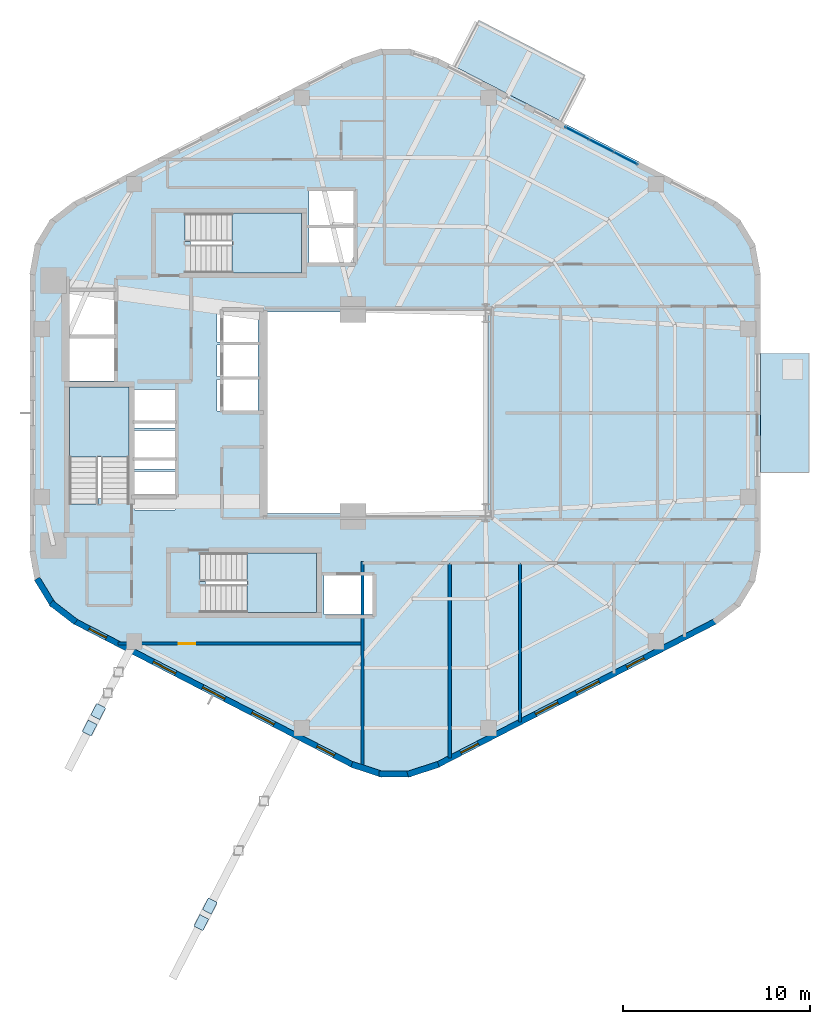
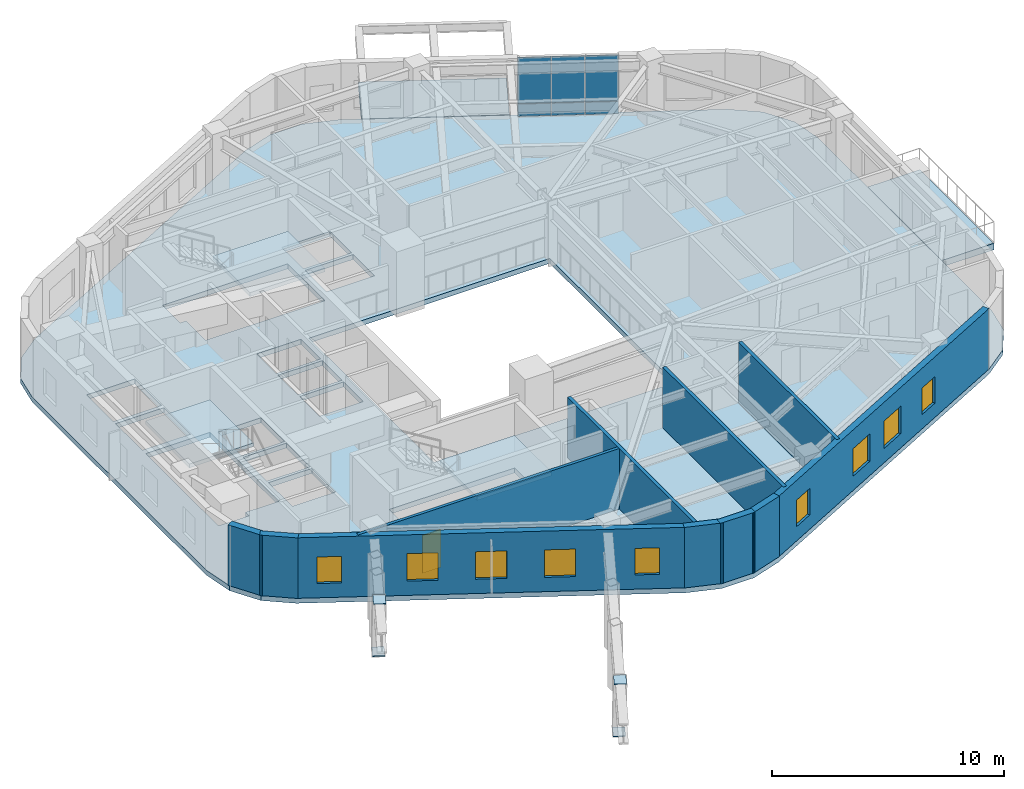
# One storey, part 5 of 11: 11 walls, 10 plates, 9 windows, 6 slabs, 1 door, 10 openings, 4 elements without a shape of their own.
"""IFC4 building model written with IfcOpenShell, lengths in metres."""

import ifcopenshell
import ifcopenshell.guid

model = None  # the IFC model being written
_history = None  # IfcOwnerHistory: only IFC2X3 demands one
_inside = {}  # id of a spatial element -> (the spatial element, [elements in it])
_under = {}  # id of a project, library or spatial element -> (it, [spatial elements below it])
_declared = {}  # id of a project -> (the project, [libraries it declares])
_typed = {}  # id of a type object -> (the type object, [elements of that type])
_made_of = {}  # id of a material, layer set ... -> (it, [elements and type objects made of it])


def new_model(schema):
    """Start an empty IFC model of exactly this schema.

    Asked for "IFC4X3", IfcOpenShell would pick the latest addendum, in which some entities
    have other attributes; the version numbers below select the first issue.
    IFC2X3 requires an IfcOwnerHistory on every rooted entity: one is made here for all.
    """
    global model, _history
    if schema == "IFC4X3":
        model = ifcopenshell.file(schema_version=(4, 3, 0, 0))
    else:
        model = ifcopenshell.file(schema=schema)
    _inside.clear()
    _under.clear()
    _declared.clear()
    _typed.clear()
    _made_of.clear()
    _history = None
    if model.schema == "IFC2X3":
        org = make("IfcOrganization", Name="unknown")
        user = make(
            "IfcPersonAndOrganization",
            ThePerson=make("IfcPerson", FamilyName="unknown"),
            TheOrganization=org,
        )
        app = make(
            "IfcApplication",
            ApplicationDeveloper=org,
            Version="unknown",
            ApplicationFullName="unknown",
            ApplicationIdentifier="unknown",
        )
        _history = make(
            "IfcOwnerHistory",
            OwningUser=user,
            OwningApplication=app,
            ChangeAction="ADDED",
            CreationDate=0,
        )
    return model


def make(cls, **values):
    """One entity of the class cls with the attributes given. An attribute that is None is left unset."""
    return model.create_entity(
        cls, **{name: value for name, value in values.items() if value is not None}
    )


def rooted(cls, **values):
    """An entity with a GlobalId (a new one), such as an element, a storey or a relation."""
    return make(cls, GlobalId=ifcopenshell.guid.new(), OwnerHistory=_history, **values)


def si_unit(unit_type, name, prefix=None):
    """IfcSIUnit, for example si_unit("LENGTHUNIT", "METRE", prefix="MILLI")."""
    return make("IfcSIUnit", UnitType=unit_type, Prefix=prefix, Name=name)


def assignment(units):
    """IfcUnitAssignment: the units of a project."""
    return None if units is None else make("IfcUnitAssignment", Units=units)


def point(xyz):
    """IfcCartesianPoint."""
    return None if xyz is None else make("IfcCartesianPoint", Coordinates=xyz)


def direction(xyz):
    """IfcDirection."""
    return None if xyz is None else make("IfcDirection", DirectionRatios=xyz)


def frame(location, z_axis=None, x_axis=None):
    """IfcAxis2Placement3D, a coordinate frame: its origin and axes. An axis left out is left unset."""
    return make(
        "IfcAxis2Placement3D",
        Location=point(location),
        Axis=direction(z_axis),
        RefDirection=direction(x_axis),
    )


def frame_2d(location, x_axis=None):
    """IfcAxis2Placement2D, a coordinate frame in the plane: its origin and x axis."""
    return make(
        "IfcAxis2Placement2D", Location=point(location), RefDirection=direction(x_axis)
    )


def origin():
    """The frame at (0, 0, 0) with its axes left unset."""
    return frame((0.0, 0.0, 0.0))


def origin_2d():
    """The frame at (0, 0) in the plane with its x axis left unset."""
    return frame_2d((0.0, 0.0))


def place(relative_to, where):
    """IfcLocalPlacement: puts the frame where relative to a parent placement (None: the world)."""
    return make(
        "IfcLocalPlacement", PlacementRelTo=relative_to, RelativePlacement=where
    )


def context(
    kind, dimensions, precision=None, world=None, true_north=None, identifier=None
):
    """IfcGeometricRepresentationContext, for example the 3D "Model" context."""
    return make(
        "IfcGeometricRepresentationContext",
        ContextIdentifier=identifier,
        ContextType=kind,
        CoordinateSpaceDimension=dimensions,
        Precision=precision,
        WorldCoordinateSystem=world,
        TrueNorth=true_north,
    )


def subcontext(parent, identifier, kind, view, scale=None):
    """IfcGeometricRepresentationSubContext, for example "Body" below "Model"."""
    return make(
        "IfcGeometricRepresentationSubContext",
        ContextIdentifier=identifier,
        ContextType=kind,
        ParentContext=parent,
        TargetScale=scale,
        TargetView=view,
    )


def project(units=None, contexts=None):
    """IfcProject with its units and contexts."""
    return rooted(
        "IfcProject",
        Name="project",
        RepresentationContexts=contexts,
        UnitsInContext=assignment(units),
    )


def spatial(cls, under=None, at=None, **own):
    """A site, building, storey or space (cls), placed at a placement, below another one or the project."""
    s = rooted(cls, ObjectPlacement=at, **own)
    if under is not None:
        _under.setdefault(under.id(), (under, []))[1].append(s)
    return s


def polyline(points):
    """IfcPolyline through the points."""
    return make("IfcPolyline", Points=[point(p) for p in points])


def profile(cls, at=None, kind="AREA", **sizes):
    """A parametric profile (cls). Its sizes go by their IFC names, for example OverallWidth=200.0."""
    return make(cls, ProfileType=kind, Position=at, **sizes)


def rectangle(**sizes):
    """IfcRectangleProfileDef."""
    return profile("IfcRectangleProfileDef", **sizes)


def outline(outer, holes=None, kind="AREA"):
    """IfcArbitraryClosedProfileDef: a profile drawn as a closed curve; with holes, ...WithVoids."""
    if holes is None:
        return make("IfcArbitraryClosedProfileDef", ProfileType=kind, OuterCurve=outer)
    return make(
        "IfcArbitraryProfileDefWithVoids",
        ProfileType=kind,
        OuterCurve=outer,
        InnerCurves=holes,
    )


def extrude(swept, where, along, depth):
    """IfcExtrudedAreaSolid: the profile swept, set in the frame where, extruded along a direction by depth."""
    return make(
        "IfcExtrudedAreaSolid",
        SweptArea=swept,
        Position=where,
        ExtrudedDirection=direction(along),
        Depth=depth,
    )


def shape(context_of_items, identifier, shape_type, items):
    """IfcShapeRepresentation: the items that make up one representation, for example the "Body"."""
    return make(
        "IfcShapeRepresentation",
        ContextOfItems=context_of_items,
        RepresentationIdentifier=identifier,
        RepresentationType=shape_type,
        Items=items,
    )


def material(Name=None, Category=None):
    """IfcMaterial."""
    return make("IfcMaterial", Name=Name, Category=Category)


def layer(
    of_material, thickness, ventilated=None, Name=None, Category=None, Priority=None
):
    """IfcMaterialLayer: one layer of a wall or slab, of a material (None: an air gap)."""
    return make(
        "IfcMaterialLayer",
        Material=of_material,
        LayerThickness=thickness,
        IsVentilated=ventilated,
        Name=Name,
        Category=Category,
        Priority=Priority,
    )


def layer_set(layers, Name=None):
    """IfcMaterialLayerSet."""
    return make("IfcMaterialLayerSet", MaterialLayers=layers, LayerSetName=Name)


def made_of(thing, what):
    """Note that an element or type object is made of a material, layer set ...; save() writes the relation."""
    if what is not None:
        _made_of.setdefault(what.id(), (what, []))[1].append(thing)
    return thing


def type_object(cls, material=None, **own):
    """A type object (cls), such as IfcWallType, which elements share."""
    return made_of(rooted(cls, **own), material)


def element(
    cls,
    number,
    at=None,
    inside=None,
    cuts=None,
    type_object=None,
    material=None,
    context=None,
    identifier="Body",
    shape_type=None,
    held_by="IfcProductDefinitionShape",
    body=None,
    shapes=None,
    **own,
):
    """One element of the class cls, such as IfcWall. Its Tag is "e" and its number.

    at: its placement. inside: the storey or other place that contains it. cuts: it is an
    opening in that element (IfcRelVoidsElement). A single representation is given by context,
    identifier, shape_type and body (its items); several are given by shapes. held_by: the class
    of the entity that holds the representations. save() writes the other relations.
    """
    e = rooted(cls, Tag="e%d" % number, ObjectPlacement=at, **own)
    if body is not None:
        shapes = [shape(context, identifier, shape_type, body)]
    if shapes is not None:
        e.Representation = make(held_by, Representations=shapes)
    if inside is not None:
        _inside.setdefault(inside.id(), (inside, []))[1].append(e)
    if cuts is not None:
        rooted(
            "IfcRelVoidsElement", RelatingBuildingElement=cuts, RelatedOpeningElement=e
        )
    if type_object is not None:
        _typed.setdefault(type_object.id(), (type_object, []))[1].append(e)
    return made_of(e, material)


def fill(opening, filler):
    """IfcRelFillsElement: the door or window that sits in an opening."""
    return rooted(
        "IfcRelFillsElement",
        RelatingOpeningElement=opening,
        RelatedBuildingElement=filler,
    )


def aggregate(whole, parts):
    """IfcRelAggregates: a whole, such as a stair, and the parts it consists of."""
    return rooted("IfcRelAggregates", RelatingObject=whole, RelatedObjects=parts)


def save(model, path):
    """Write the relations noted so far, then the file.

    IfcRelAggregates (storeys below a building ...), IfcRelContainedInSpatialStructure (elements
    in a storey), IfcRelDefinesByType, IfcRelAssociatesMaterial and IfcRelDeclares: one each for
    every whole, place, type object, material and project.
    """
    for whole, parts in _under.values():
        aggregate(whole, parts)
    for where, things in _inside.values():
        rooted(
            "IfcRelContainedInSpatialStructure",
            RelatedElements=things,
            RelatingStructure=where,
        )
    for kind, things in _typed.values():
        rooted("IfcRelDefinesByType", RelatedObjects=things, RelatingType=kind)
    for what, things in _made_of.values():
        rooted("IfcRelAssociatesMaterial", RelatedObjects=things, RelatingMaterial=what)
    for by, libraries in _declared.values():
        rooted("IfcRelDeclares", RelatingContext=by, RelatedDefinitions=libraries)
    model.write(path)


model = new_model("IFC4")

# Units and contexts
model_context = context("Model", 3, precision=1e-05, world=origin(), true_north=direction((0.0, 1.0)))
body_context = subcontext(model_context, "Body", "Model", "MODEL_VIEW")
ifc_project = project(units=[si_unit("LENGTHUNIT", "METRE"), si_unit("AREAUNIT", "SQUARE_METRE"), si_unit("VOLUMEUNIT", "CUBIC_METRE"), si_unit("PLANEANGLEUNIT", "RADIAN"), si_unit("MASSUNIT", "GRAM", prefix="KILO"), si_unit("THERMODYNAMICTEMPERATUREUNIT", "KELVIN"), si_unit("POWERUNIT", "WATT")], contexts=[model_context])

# Site, building, storey
site_placement = place(None, origin())
site = spatial("IfcSite", under=ifc_project, at=site_placement, CompositionType="ELEMENT")
building_placement = place(site_placement, origin())
building = spatial("IfcBuilding", under=site, at=building_placement, Name="Skarre Station Tower", CompositionType="ELEMENT")
storey_placement = place(building_placement, frame((0.0, 0.0, 167.10009765625)))
storey = spatial("IfcBuildingStorey", under=building, at=storey_placement, Name="L45", CompositionType="ELEMENT", Elevation=167.10009765625)

# Curtain wall, plates
ifc_material_1 = material(Name="Thermally Broken Bronze-Anodized Aluminium & Triple Low-E Glass", Category="aluminium")
ifc_layer_1 = layer(ifc_material_1, 0.18994140625, Name="Thermally Broken Bronze-Anodized Aluminium & Triple Low-E Glass")
ifc_layer_set_1 = layer_set([ifc_layer_1], Name="Thermally Broken Bronze-Anodized Aluminium & Triple Low-E Glass")
curtain_wall_type = type_object("IfcCurtainWallType", Name="Sky-Garden Setback Conservatory Curtain Wall", PredefinedType="NOTDEFINED", material=ifc_layer_set_1)
curtain_wall_placement = place(storey_placement, origin())
curtain_wall = element("IfcCurtainWall", 1, at=curtain_wall_placement, inside=storey, type_object=curtain_wall_type, Name="L45 Facet 0 Conservatory Curtain Wall", PredefinedType="NOTDEFINED")
ifc_material_2 = material(Name="Insulated Bronze Anodized Aluminium Spandrel", Category="aluminium")
ifc_layer_2 = layer(ifc_material_2, 0.052001953125, Name="Insulated Bronze Anodized Aluminium Spandrel")
ifc_layer_set_2 = layer_set([ifc_layer_2], Name="Insulated Bronze Anodized Aluminium Spandrel")
plate_type_1 = type_object("IfcPlateType", Name="Bronze Insulated Spandrel Sheet Panel 52", PredefinedType="SHEET", material=ifc_layer_set_2)
plate_1_placement = place(storey_placement, frame((44.364990234375, 38.986083984375, 0.0517578125), z_axis=(0.0, 0.0, 1.0), x_axis=(0.888593216602, -0.458696081745, 0.0)))
plate_1 = element("IfcPlate", 2, at=plate_1_placement, type_object=plate_type_1, Name="L45 Facet 0 Conservatory Curtain Wall Spandrel Panel 1-1", PredefinedType="SHEET", context=body_context, shape_type="SweptSolid", body=[
    extrude(rectangle(XDim=1.43408203125, YDim=0.052001953125, at=origin_2d()), origin(), (0.0, 0.0, 1.0), 0.635986328125),
])
plate_2_placement = place(storey_placement, frame((45.660888671875, 38.31689453125, 0.0517578125), z_axis=(0.0, 0.0, 1.0), x_axis=(0.888593216602, -0.458696081745, 0.0)))
plate_2 = element("IfcPlate", 3, at=plate_2_placement, type_object=plate_type_1, Name="L45 Facet 0 Conservatory Curtain Wall Spandrel Panel 2-1", PredefinedType="SHEET", context=body_context, shape_type="SweptSolid", body=[
    extrude(rectangle(XDim=1.43408203125, YDim=0.052001953125, at=origin_2d()), origin(), (0.0, 0.0, 1.0), 0.635986328125),
])
plate_3_placement = place(storey_placement, frame((46.95703125, 37.64794921875, 0.0517578125), z_axis=(0.0, 0.0, 1.0), x_axis=(0.888593216602, -0.458696081745, 0.0)))
plate_3 = element("IfcPlate", 4, at=plate_3_placement, type_object=plate_type_1, Name="L45 Facet 0 Conservatory Curtain Wall Spandrel Panel 3-1", PredefinedType="SHEET", context=body_context, shape_type="SweptSolid", body=[
    extrude(rectangle(XDim=1.43408203125, YDim=0.052001953125, at=origin_2d()), origin(), (0.0, 0.0, 1.0), 0.635986328125),
])

# Plates
ifc_material_3 = material(Name="Steel ASTM A572 Grade 50", Category="steel")
ifc_layer_3 = layer(ifc_material_3, 0.031982421875, Name="Steel ASTM A572 Grade 50")
ifc_layer_set_3 = layer_set([ifc_layer_3], Name="Steel ASTM A572 Grade 50")
plate_type_2 = type_object("IfcPlateType", Name="Exoskeleton Strut Cap Plate 700x540x32", PredefinedType="USERDEFINED", material=ifc_layer_set_3)
for number, where, z_axis, x_axis, name in (
    (5, (18.695068359375, 8.001953125, -0.4462890625), (0.0, 0.0, 1.0), (-0.458634045118, -0.888625237464, 0.0), "L45 SB-4 Exoskeleton Tier-3 Base Gusset S1"),
    (6, (18.236083984375, 7.113037109375, 3.00390625), (0.0, 0.0, 1.0), (-0.458634045118, -0.888625237464, 0.0), "L45 SB-4 Exoskeleton Tier-3 Head Gusset S1"),
    (7, (24.677001953125, -2.423095703125, -0.4462890625), (0.0, 0.0, 1.0), (-0.458634045118, -0.888625237464, 0.0), "L45 SB-4 Exoskeleton Tier-3 Base Gusset S2"),
    (8, (24.218017578125, -3.31201171875, 3.00390625), (0.0, 0.0, 1.0), (-0.458634045118, -0.888625237464, 0.0), "L45 SB-4 Exoskeleton Tier-3 Head Gusset S2"),
):
    element("IfcPlate", number, at=place(storey_placement, frame(where, z_axis=z_axis, x_axis=x_axis)), inside=storey, type_object=plate_type_2, Name=name, ObjectType="STIFFENER_PLATE", PredefinedType="USERDEFINED", context=body_context, shape_type="SweptSolid", body=[
        extrude(rectangle(XDim=0.699951171875, YDim=0.5400390625, at=origin_2d()), origin(), (0.0, 0.0, 1.0), 0.031982421875),
    ])

# Slab
ifc_material_4 = material(Name="Precast concrete C50/60", Category="concrete")
ifc_layer_4 = layer(ifc_material_4, 0.340087890625, Name="Precast concrete C50/60")
ifc_layer_set_4 = layer_set([ifc_layer_4], Name="Precast concrete C50/60")
slab_type_1 = type_object("IfcSlabType", Name="Planted Tree-Balcony Cantilever Slab 340", PredefinedType="FLOOR", material=ifc_layer_set_4)
slab_1_placement = place(storey_placement, frame((0.0, 0.0, -0.340087890625)))
element("IfcSlab", 9, at=slab_1_placement, inside=storey, type_object=slab_type_1, Name="L45 Planted Tree-Balcony Deck TB-L45-F5", PredefinedType="FLOOR", context=body_context, shape_type="SweptSolid", body=[
    extrude(outline(polyline([(54.181884765625, 20.800048828125), (54.181884765625, 27.199951171875), (56.77197265625, 27.199951171875), (56.77197265625, 20.800048828125), (54.181884765625, 20.800048828125)])), origin(), (0.0, 0.0, 1.0), 0.340087890625),
])

# Stair, slab
ifc_material_5 = material(Name="Concrete C40/50", Category="concrete")
stair_type_1 = type_object("IfcStairType", Name="Reinforced Concrete Exit Stair ST-1", PredefinedType="HALF_TURN_STAIR", material=ifc_material_5)
stair_1_placement = place(storey_placement, origin())
stair_1 = element("IfcStair", 10, at=stair_1_placement, inside=storey, type_object=stair_type_1, Name="L45 Core Exit Stair ST-1", PredefinedType="HALF_TURN_STAIR")
ifc_layer_5 = layer(ifc_material_5, 0.219970703125, Name="Concrete C40/50")
ifc_layer_set_5 = layer_set([ifc_layer_5], Name="Concrete C40/50")
slab_type_2 = type_object("IfcSlabType", Name="Reinforced Concrete Stair & Ramp Landing 220", PredefinedType="LANDING", material=ifc_layer_set_5)
slab_2_placement = place(storey_placement, frame((0.0, 0.0, 1.52490234375)))
slab_2 = element("IfcSlab", 11, at=slab_2_placement, type_object=slab_type_2, Name="ST-1 landing 1", PredefinedType="LANDING", context=body_context, shape_type="SweptSolid", body=[
    extrude(outline(polyline([(20.35009765625, 21.639892578125), (20.35009765625, 25.39990234375), (17.14990234375, 25.39990234375), (17.14990234375, 21.639892578125), (20.35009765625, 21.639892578125)])), origin(), (0.0, 0.0, 1.0), 0.199951171875),
])
aggregate(stair_1, [slab_2])

stair_type_2 = type_object("IfcStairType", Name="Reinforced Concrete Exit Stair ST-2", PredefinedType="HALF_TURN_STAIR", material=ifc_material_5)
stair_2_placement = place(storey_placement, origin())
stair_2 = element("IfcStair", 12, at=stair_2_placement, inside=storey, type_object=stair_type_2, Name="L45 Core Exit Stair ST-2", PredefinedType="HALF_TURN_STAIR")
slab_3_placement = place(storey_placement, frame((0.0, 0.0, 1.52490234375)))
slab_3 = element("IfcSlab", 13, at=slab_3_placement, type_object=slab_type_2, Name="ST-2 landing 1", PredefinedType="LANDING", context=body_context, shape_type="SweptSolid", body=[
    extrude(outline(polyline([(26.669921875, 13.300048828125), (30.39990234375, 13.300048828125), (30.39990234375, 16.5), (26.669921875, 16.5), (26.669921875, 13.300048828125)])), origin(), (0.0, 0.0, 1.0), 0.199951171875),
])
aggregate(stair_2, [slab_3])

stair_type_3 = type_object("IfcStairType", Name="Reinforced Concrete Exit Stair ST-3", PredefinedType="HALF_TURN_STAIR", material=ifc_material_5)
stair_3_placement = place(storey_placement, origin())
stair_3 = element("IfcStair", 14, at=stair_3_placement, inside=storey, type_object=stair_type_3, Name="L45 Core Exit Stair ST-3", PredefinedType="HALF_TURN_STAIR")
slab_4_placement = place(storey_placement, frame((0.0, 0.0, 1.52490234375)))
slab_4 = element("IfcSlab", 15, at=slab_4_placement, type_object=slab_type_2, Name="ST-3 landing 1", PredefinedType="LANDING", context=body_context, shape_type="SweptSolid", body=[
    extrude(outline(polyline([(25.8701171875, 31.5), (29.60009765625, 31.5), (29.60009765625, 34.699951171875), (25.8701171875, 34.699951171875), (25.8701171875, 31.5)])), origin(), (0.0, 0.0, 1.0), 0.199951171875),
])
aggregate(stair_3, [slab_4])

# Slabs
ifc_material_6 = material(Name="Concrete C50/60", Category="concrete")
ifc_layer_6 = layer(ifc_material_6, 0.419921875, Name="Concrete C50/60")
ifc_layer_set_6 = layer_set([ifc_layer_6], Name="Concrete C50/60")
slab_type_3 = type_object("IfcSlabType", Name="Sky-Garden & Lookout Terrace Slab 360", PredefinedType="FLOOR", material=ifc_layer_set_6)
slab_5_placement = place(storey_placement, frame((0.0, 0.0, -0.360107421875)))
element("IfcSlab", 16, at=slab_5_placement, inside=storey, type_object=slab_type_3, Name="L45 SG-2 Planted Sky-Garden Terrace Slab", PredefinedType="FLOOR", context=body_context, shape_type="SweptSolid", body=[
    extrude(outline(polyline([(37.81103515625, 42.554931640625), (43.492919921875, 39.6220703125), (44.77294921875, 42.10107421875), (39.090087890625, 45.033935546875), (37.81103515625, 42.554931640625)])), origin(), (0.0, 0.0, 1.0), 0.360107421875),
])
ifc_layer_7 = layer(ifc_material_6, 0.260009765625, Name="Concrete C50/60")
ifc_layer_set_7 = layer_set([ifc_layer_7], Name="Concrete C50/60")
slab_type_4 = type_object("IfcSlabType", Name="Tower Typical Composite Floor Slab 260", PredefinedType="FLOOR", material=ifc_layer_set_7)
slab_6_placement = place(storey_placement, frame((0.0, 0.0, -0.260009765625)))
element("IfcSlab", 17, at=slab_6_placement, inside=storey, type_object=slab_type_4, Name="L45 Zone 3 Structural Floor Slab", PredefinedType="FLOOR", context=body_context, shape_type="SweptSolid", body=[
    extrude(outline(polyline([(54.172119140625, 31.501953125), (53.89208984375, 33.02294921875), (53.0869140625, 34.344970703125), (51.863037109375, 35.291015625), (36.908935546875, 43.009033203125), (35.39599609375, 43.506103515625), (33.803955078125, 43.506103515625), (32.291015625, 43.009033203125), (17.3369140625, 35.291015625), (16.113037109375, 34.344970703125), (15.30810546875, 33.02294921875), (15.028076171875, 31.501953125), (15.028076171875, 16.498046875), (15.30810546875, 14.97705078125), (16.113037109375, 13.655029296875), (17.3369140625, 12.708984375), (32.291015625, 4.990966796875), (33.803955078125, 4.493896484375), (35.39599609375, 4.493896484375), (36.908935546875, 4.990966796875), (51.863037109375, 12.708984375), (53.0869140625, 13.655029296875), (53.89208984375, 14.97705078125), (54.172119140625, 16.498046875), (54.172119140625, 31.501953125)]), holes=[polyline([(18.669921875, 19.419921875), (18.669921875, 19.123046875), (17.14990234375, 19.123046875), (17.14990234375, 25.39990234375), (20.35009765625, 25.39990234375), (20.35009765625, 19.419921875), (18.669921875, 19.419921875)]), polyline([(24.449951171875, 14.97998046875), (24.153076171875, 14.97998046875), (24.153076171875, 16.5), (30.39990234375, 16.5), (30.39990234375, 13.300048828125), (24.449951171875, 13.300048828125), (24.449951171875, 14.97998046875)]), polyline([(23.64990234375, 33.179931640625), (23.35302734375, 33.179931640625), (23.35302734375, 34.699951171875), (29.60009765625, 34.699951171875), (29.60009765625, 31.5), (23.64990234375, 31.5), (23.64990234375, 33.179931640625)]), polyline([(17.14990234375, 28.0), (19.550048828125, 28.0), (19.550048828125, 25.699951171875), (17.14990234375, 25.699951171875), (17.14990234375, 28.0)]), polyline([(17.14990234375, 30.5), (19.550048828125, 30.5), (19.550048828125, 28.199951171875), (17.14990234375, 28.199951171875), (17.14990234375, 30.5)]), polyline([(30.800048828125, 15.300048828125), (33.39990234375, 15.300048828125), (33.39990234375, 13.199951171875), (30.800048828125, 13.199951171875), (30.800048828125, 15.300048828125)]), polyline([(25.050048828125, 25.800048828125), (27.25, 25.800048828125), (27.25, 24.10009765625), (25.050048828125, 24.10009765625), (25.050048828125, 25.800048828125)]), polyline([(25.050048828125, 27.64990234375), (27.25, 27.64990234375), (27.25, 25.949951171875), (25.050048828125, 25.949951171875), (25.050048828125, 27.64990234375)]), polyline([(25.050048828125, 29.5), (27.25, 29.5), (27.25, 27.800048828125), (25.050048828125, 27.800048828125), (25.050048828125, 29.5)]), polyline([(20.64990234375, 20.85009765625), (22.800048828125, 20.85009765625), (22.800048828125, 18.800048828125), (20.64990234375, 18.800048828125), (20.64990234375, 20.85009765625)]), polyline([(20.64990234375, 23.050048828125), (22.800048828125, 23.050048828125), (22.800048828125, 21.0), (20.64990234375, 21.0), (20.64990234375, 23.050048828125)]), polyline([(20.64990234375, 25.25), (22.800048828125, 25.25), (22.800048828125, 23.199951171875), (20.64990234375, 23.199951171875), (20.64990234375, 25.25)]), polyline([(30.0, 33.89990234375), (32.39990234375, 33.89990234375), (32.39990234375, 32.050048828125), (30.0, 32.050048828125), (30.0, 33.89990234375)]), polyline([(30.0, 35.89990234375), (32.39990234375, 35.89990234375), (32.39990234375, 34.050048828125), (30.0, 34.050048828125), (30.0, 35.89990234375)]), polyline([(27.60009765625, 29.39990234375), (39.60009765625, 29.39990234375), (39.60009765625, 18.60009765625), (27.60009765625, 18.60009765625), (27.60009765625, 29.39990234375)])]), origin(), (0.0, 0.0, 1.0), 0.260009765625),
])

# Plate
ifc_material_7 = material(Name="Low-Iron Triple Insulating Glass Unit", Category="glass")
ifc_layer_8 = layer(ifc_material_7, 0.0439453125, Name="Low-Iron Triple Insulating Glass Unit")
ifc_layer_set_8 = layer_set([ifc_layer_8], Name="Low-Iron Triple Insulating Glass Unit")
plate_type_3 = type_object("IfcPlateType", Name="Triple-Glazed Vision Curtain Panel 44", PredefinedType="CURTAIN_PANEL", material=ifc_layer_set_8)
plate_4_placement = place(storey_placement, frame((44.364990234375, 38.986083984375, 0.7119140625), z_axis=(0.0, 0.0, 1.0), x_axis=(0.888593216602, -0.458696081745, 0.0)))
plate_4 = element("IfcPlate", 18, at=plate_4_placement, type_object=plate_type_3, Name="L45 Facet 0 Conservatory Curtain Wall Vision Panel 1-2", PredefinedType="CURTAIN_PANEL", context=body_context, shape_type="SweptSolid", body=[
    extrude(rectangle(XDim=1.43408203125, YDim=0.0439453125, at=origin_2d()), origin(), (0.0, 0.0, 1.0), 2.426025390625),
])

plate_5_placement = place(storey_placement, frame((45.660888671875, 38.31689453125, 0.7119140625), z_axis=(0.0, 0.0, 1.0), x_axis=(0.888593216602, -0.458696081745, 0.0)))
plate_5 = element("IfcPlate", 19, at=plate_5_placement, type_object=plate_type_3, Name="L45 Facet 0 Conservatory Curtain Wall Vision Panel 2-2", PredefinedType="CURTAIN_PANEL", context=body_context, shape_type="SweptSolid", body=[
    extrude(rectangle(XDim=1.43408203125, YDim=0.0439453125, at=origin_2d()), origin(), (0.0, 0.0, 1.0), 2.426025390625),
])

plate_6_placement = place(storey_placement, frame((46.95703125, 37.64794921875, 0.7119140625), z_axis=(0.0, 0.0, 1.0), x_axis=(0.888593216602, -0.458696081745, 0.0)))
plate_6 = element("IfcPlate", 20, at=plate_6_placement, type_object=plate_type_3, Name="L45 Facet 0 Conservatory Curtain Wall Vision Panel 3-2", PredefinedType="CURTAIN_PANEL", context=body_context, shape_type="SweptSolid", body=[
    extrude(rectangle(XDim=1.43408203125, YDim=0.0439453125, at=origin_2d()), origin(), (0.0, 0.0, 1.0), 2.426025390625),
])

aggregate(curtain_wall, [plate_1, plate_4, plate_2, plate_5, plate_3, plate_6])

# Wall, opening, door
ifc_material_8 = material(Name="Acoustic Steel-Stud Gypsum Partition", Category="steel")
ifc_layer_9 = layer(ifc_material_8, 0.14990234375, Name="Acoustic Steel-Stud Gypsum Partition")
ifc_layer_set_9 = layer_set([ifc_layer_9], Name="Acoustic Steel-Stud Gypsum Partition")
wall_type_1 = type_object("IfcWallType", Name="Fire-Rated Corridor Acoustic Partition 150", PredefinedType="PARTITIONING", material=ifc_layer_set_9)
wall_1_placement = place(storey_placement, frame((19.757080078125, 11.639892578125, 0.0), z_axis=(0.0, 0.0, 1.0), x_axis=(1.0, 0.0, 0.0)))
wall_1 = element("IfcWall", 21, at=wall_1_placement, inside=storey, type_object=wall_type_1, Name="L45 Interior Partition WL-PT-L45-SWP-N", PredefinedType="PARTITIONING", context=body_context, shape_type="SweptSolid", body=[
    extrude(rectangle(XDim=13.093017578125, YDim=0.14990234375, at=frame_2d((6.54638671875, 0.0))), origin(), (0.0, 0.0, 1.0), 3.18994140625),
])
opening_1_placement = place(wall_1_placement, frame((3.242919921875, 0.0, 0.0)))
opening_1 = element("IfcOpeningElement", 22, at=opening_1_placement, cuts=wall_1, Name="Opening DR-SVC90", PredefinedType="OPENING", context=body_context, shape_type="SweptSolid", body=[
    extrude(rectangle(XDim=0.89990234375, YDim=2.0, at=frame_2d((0.449951171875, 1.0))), frame((0.0, 0.0849609375, 0.0), z_axis=(0.0, -1.0, 0.0), x_axis=(1.0, 0.0, 0.0)), (0.0, 0.0, 1.0), 0.169921875),
])
ifc_material_9 = material(Name="Powder-Coated Hollow-Metal Acoustic Fire Leaf", Category="steel")
door_type = type_object("IfcDoorType", Name="Service & Riser Fire Door FD60 900x2100", OperationType="SINGLE_SWING_LEFT", PredefinedType="DOOR", material=ifc_material_9)
door_placement = place(opening_1_placement, origin())
door = element("IfcDoor", 23, at=door_placement, inside=storey, type_object=door_type, Name="L45 Floor Public Toilets Door", OperationType="SINGLE_SWING_LEFT", OverallHeight=2.0, OverallWidth=0.89990234375, PredefinedType="DOOR", context=body_context, shape_type="SweptSolid", body=[
    extrude(rectangle(XDim=0.89990234375, YDim=2.0, at=frame_2d((0.449951171875, 1.0))), frame((0.0, 0.02490234375, 0.0), z_axis=(0.0, -1.0, 0.0), x_axis=(1.0, 0.0, 0.0)), (0.0, 0.0, 1.0), 0.050048828125),
])
fill(opening_1, door)

# Walls
ifc_material_10 = material(Name="Precast concrete C45/55", Category="concrete")
ifc_layer_10 = layer(ifc_material_10, 0.330078125, Name="Precast concrete C45/55")
ifc_layer_set_10 = layer_set([ifc_layer_10], Name="Precast concrete C45/55")
wall_type_2 = type_object("IfcWallType", Name="Nordic Rounded Corner Precast Wall 330", PredefinedType="STANDARD", material=ifc_layer_set_10)
wall_2_placement = place(storey_placement, frame((17.489013671875, 12.800048828125, 0.0), z_axis=(0.0, 0.0, 1.0), x_axis=(-0.791409877269, 0.611285862884, 0.0)))
element("IfcWall", 24, at=wall_2_placement, inside=storey, type_object=wall_type_2, Name="L45 Rounded Corner Precast Wall F3-1", PredefinedType="STANDARD", context=body_context, shape_type="SweptSolid", body=[
    extrude(rectangle(XDim=1.676513671875, YDim=0.330078125, at=frame_2d((0.83837890625, 0.0))), origin(), (0.0, 0.0, 1.0), 3.18994140625),
])
wall_3_placement = place(storey_placement, frame((16.2880859375, 13.68505859375, 0.0), z_axis=(0.0, 0.0, 1.0), x_axis=(-0.520325409202, 0.853968072318, 0.0)))
element("IfcWall", 25, at=wall_3_placement, inside=storey, type_object=wall_type_2, Name="L45 Rounded Corner Precast Wall F3-2", PredefinedType="STANDARD", context=body_context, shape_type="SweptSolid", body=[
    extrude(rectangle(XDim=1.677978515625, YDim=0.330078125, at=frame_2d((0.8388671875, 0.0))), origin(), (0.0, 0.0, 1.0), 3.18994140625),
])
wall_4_placement = place(storey_placement, frame((36.9189453125, 5.16796875, 0.0), z_axis=(0.0, 0.0, 1.0), x_axis=(-0.949937416267, -0.312440242569, 0.0)))
element("IfcWall", 26, at=wall_4_placement, inside=storey, type_object=wall_type_2, Name="L45 Rounded Corner Precast Wall F4-1", PredefinedType="STANDARD", context=body_context, shape_type="SweptSolid", body=[
    extrude(rectangle(XDim=1.72216796875, YDim=0.330078125, at=frame_2d((0.861083984375, 0.0))), origin(), (0.0, 0.0, 1.0), 3.18994140625),
])
wall_5_placement = place(storey_placement, frame((35.4609375, 4.658935546875, 0.0), z_axis=(0.0, 0.0, 1.0), x_axis=(-1.0, 0.0, 0.0)))
element("IfcWall", 27, at=wall_5_placement, inside=storey, type_object=wall_type_2, Name="L45 Rounded Corner Precast Wall F4-2", PredefinedType="STANDARD", context=body_context, shape_type="SweptSolid", body=[
    extrude(rectangle(XDim=1.721923828125, YDim=0.330078125, at=frame_2d((0.86083984375, 0.0))), origin(), (0.0, 0.0, 1.0), 3.18994140625),
])
wall_6_placement = place(storey_placement, frame((33.9169921875, 4.6298828125, 0.0), z_axis=(0.0, 0.0, 1.0), x_axis=(-0.949937416267, 0.312440242569, 0.0)))
element("IfcWall", 28, at=wall_6_placement, inside=storey, type_object=wall_type_2, Name="L45 Rounded Corner Precast Wall F4-3", PredefinedType="STANDARD", context=body_context, shape_type="SweptSolid", body=[
    extrude(rectangle(XDim=1.72216796875, YDim=0.330078125, at=frame_2d((0.861083984375, 0.0))), origin(), (0.0, 0.0, 1.0), 3.18994140625),
])

# Wall, openings, windows
ifc_layer_11 = layer(ifc_material_10, 0.31005859375, Name="Precast concrete C45/55")
ifc_layer_set_11 = layer_set([ifc_layer_11], Name="Precast concrete C45/55")
wall_type_3 = type_object("IfcWallType", Name="Nordic Upper-Zone Precast Facet Wall 310", PredefinedType="STANDARD", material=ifc_layer_set_11)
wall_7_placement = place(storey_placement, frame((32.362060546875, 5.12890625, 0.0), z_axis=(0.0, 0.0, 1.0), x_axis=(-0.888626188278, 0.458632202867, 0.0)))
wall_7 = element("IfcWall", 29, at=wall_7_placement, inside=storey, type_object=wall_type_3, Name="L45 Facet 3 Nordic Precast Masonry Wall", PredefinedType="STANDARD", context=body_context, shape_type="SweptSolid", body=[
    extrude(rectangle(XDim=16.828369140625, YDim=0.31005859375, at=frame_2d((8.4140625, 0.0))), origin(), (0.0, 0.0, 1.0), 3.18994140625),
])
opening_2_placement = place(wall_7_placement, frame((1.136962890625, 0.0, 0.75)))
opening_2 = element("IfcOpeningElement", 30, at=opening_2_placement, cuts=wall_7, Name="Opening WN-SLT", PredefinedType="OPENING", context=body_context, shape_type="SweptSolid", body=[
    extrude(rectangle(XDim=1.050048828125, YDim=1.39990234375, at=frame_2d((0.52490234375, 0.699951171875))), frame((0.0, 0.1650390625, 0.0), z_axis=(0.0, -1.0, 0.0), x_axis=(1.0, 0.0, 0.0)), (0.0, 0.0, 1.0), 0.330078125),
])
opening_3_placement = place(wall_7_placement, frame((4.76806640625, 0.0, 0.75)))
opening_3 = element("IfcOpeningElement", 31, at=opening_3_placement, cuts=wall_7, Name="Opening WN-Z3B", PredefinedType="OPENING", context=body_context, shape_type="SweptSolid", body=[
    extrude(rectangle(XDim=1.35009765625, YDim=1.449951171875, at=frame_2d((0.675048828125, 0.72509765625))), frame((0.0, 0.1650390625, 0.0), z_axis=(0.0, -1.0, 0.0), x_axis=(1.0, 0.0, 0.0)), (0.0, 0.0, 1.0), 0.330078125),
])
opening_4_placement = place(wall_7_placement, frame((7.739013671875, 0.0, 0.75)))
opening_4 = element("IfcOpeningElement", 32, at=opening_4_placement, cuts=wall_7, Name="Opening WN-Z3B", PredefinedType="OPENING", context=body_context, shape_type="SweptSolid", body=[
    extrude(rectangle(XDim=1.35009765625, YDim=1.449951171875, at=frame_2d((0.675048828125, 0.72509765625))), frame((0.0, 0.1650390625, 0.0), z_axis=(0.0, -1.0, 0.0), x_axis=(1.0, 0.0, 0.0)), (0.0, 0.0, 1.0), 0.330078125),
])
opening_5_placement = place(wall_7_placement, frame((10.7099609375, 0.0, 0.75)))
opening_5 = element("IfcOpeningElement", 33, at=opening_5_placement, cuts=wall_7, Name="Opening WN-Z3B", PredefinedType="OPENING", context=body_context, shape_type="SweptSolid", body=[
    extrude(rectangle(XDim=1.35009765625, YDim=1.449951171875, at=frame_2d((0.675048828125, 0.72509765625))), frame((0.0, 0.1650390625, 0.0), z_axis=(0.0, -1.0, 0.0), x_axis=(1.0, 0.0, 0.0)), (0.0, 0.0, 1.0), 0.330078125),
])
opening_6_placement = place(wall_7_placement, frame((14.885009765625, 0.0, 0.75)))
opening_6 = element("IfcOpeningElement", 34, at=opening_6_placement, cuts=wall_7, Name="Opening WN-SLT", PredefinedType="OPENING", context=body_context, shape_type="SweptSolid", body=[
    extrude(rectangle(XDim=1.050048828125, YDim=1.39990234375, at=frame_2d((0.52490234375, 0.699951171875))), frame((0.0, 0.1650390625, 0.0), z_axis=(0.0, -1.0, 0.0), x_axis=(1.0, 0.0, 0.0)), (0.0, 0.0, 1.0), 0.330078125),
])
ifc_material_11 = material(Name="Low-Iron Triple Glazing with Bronze Anodized Frame", Category="glass")
window_type_1 = type_object("IfcWindowType", Name="Nordic Corner Slot Window 1050x1400", PartitioningType="SINGLE_PANEL", PredefinedType="WINDOW", material=ifc_material_11)
window_1_placement = place(opening_2_placement, origin())
window_1 = element("IfcWindow", 35, at=window_1_placement, inside=storey, type_object=window_type_1, Name="L45 Facade Window WL-FAC-L45-F3-1", OverallHeight=1.39990234375, OverallWidth=1.050048828125, PartitioningType="SINGLE_PANEL", PredefinedType="WINDOW", context=body_context, shape_type="SweptSolid", body=[
    extrude(rectangle(XDim=1.050048828125, YDim=1.39990234375, at=frame_2d((0.52490234375, 0.699951171875))), frame((0.0, 0.030029296875, 0.0), z_axis=(0.0, -1.0, 0.0), x_axis=(1.0, 0.0, 0.0)), (0.0, 0.0, 1.0), 0.06005859375),
])
fill(opening_2, window_1)
window_2_placement = place(opening_6_placement, origin())
window_2 = element("IfcWindow", 36, at=window_2_placement, inside=storey, type_object=window_type_1, Name="L45 Facade Window WL-FAC-L45-F3-5", OverallHeight=1.39990234375, OverallWidth=1.050048828125, PartitioningType="SINGLE_PANEL", PredefinedType="WINDOW", context=body_context, shape_type="SweptSolid", body=[
    extrude(rectangle(XDim=1.050048828125, YDim=1.39990234375, at=frame_2d((0.52490234375, 0.699951171875))), frame((0.0, 0.030029296875, 0.0), z_axis=(0.0, -1.0, 0.0), x_axis=(1.0, 0.0, 0.0)), (0.0, 0.0, 1.0), 0.06005859375),
])
fill(opening_6, window_2)
window_type_2 = type_object("IfcWindowType", Name="Nordic Hospitality Narrow Window 1350x1450", PartitioningType="SINGLE_PANEL", PredefinedType="WINDOW", material=ifc_material_11)
window_3_placement = place(opening_3_placement, origin())
window_3 = element("IfcWindow", 37, at=window_3_placement, inside=storey, type_object=window_type_2, Name="L45 Facade Window WL-FAC-L45-F3-2", OverallHeight=1.449951171875, OverallWidth=1.35009765625, PartitioningType="SINGLE_PANEL", PredefinedType="WINDOW", context=body_context, shape_type="SweptSolid", body=[
    extrude(rectangle(XDim=1.35009765625, YDim=1.449951171875, at=frame_2d((0.675048828125, 0.72509765625))), frame((0.0, 0.030029296875, 0.0), z_axis=(0.0, -1.0, 0.0), x_axis=(1.0, 0.0, 0.0)), (0.0, 0.0, 1.0), 0.06005859375),
])
fill(opening_3, window_3)
window_4_placement = place(opening_4_placement, origin())
window_4 = element("IfcWindow", 38, at=window_4_placement, inside=storey, type_object=window_type_2, Name="L45 Facade Window WL-FAC-L45-F3-3", OverallHeight=1.449951171875, OverallWidth=1.35009765625, PartitioningType="SINGLE_PANEL", PredefinedType="WINDOW", context=body_context, shape_type="SweptSolid", body=[
    extrude(rectangle(XDim=1.35009765625, YDim=1.449951171875, at=frame_2d((0.675048828125, 0.72509765625))), frame((0.0, 0.030029296875, 0.0), z_axis=(0.0, -1.0, 0.0), x_axis=(1.0, 0.0, 0.0)), (0.0, 0.0, 1.0), 0.06005859375),
])
fill(opening_4, window_4)
window_5_placement = place(opening_5_placement, origin())
window_5 = element("IfcWindow", 39, at=window_5_placement, inside=storey, type_object=window_type_2, Name="L45 Facade Window WL-FAC-L45-F3-4", OverallHeight=1.449951171875, OverallWidth=1.35009765625, PartitioningType="SINGLE_PANEL", PredefinedType="WINDOW", context=body_context, shape_type="SweptSolid", body=[
    extrude(rectangle(XDim=1.35009765625, YDim=1.449951171875, at=frame_2d((0.675048828125, 0.72509765625))), frame((0.0, 0.030029296875, 0.0), z_axis=(0.0, -1.0, 0.0), x_axis=(1.0, 0.0, 0.0)), (0.0, 0.0, 1.0), 0.06005859375),
])
fill(opening_5, window_5)

wall_8_placement = place(storey_placement, frame((51.7919921875, 12.846923828125, 0.0), z_axis=(0.0, 0.0, 1.0), x_axis=(-0.888626188278, -0.458632202867, 0.0)))
wall_8 = element("IfcWall", 40, at=wall_8_placement, inside=storey, type_object=wall_type_3, Name="L45 Facet 4 Nordic Precast Masonry Wall", PredefinedType="STANDARD", context=body_context, shape_type="SweptSolid", body=[
    extrude(rectangle(XDim=16.828369140625, YDim=0.31005859375, at=frame_2d((8.4140625, 0.0))), origin(), (0.0, 0.0, 1.0), 3.18994140625),
])
opening_7_placement = place(wall_8_placement, frame((4.324951171875, 0.0, 0.75)))
opening_7 = element("IfcOpeningElement", 41, at=opening_7_placement, cuts=wall_8, Name="Opening WN-SLT", PredefinedType="OPENING", context=body_context, shape_type="SweptSolid", body=[
    extrude(rectangle(XDim=1.050048828125, YDim=1.39990234375, at=frame_2d((0.52490234375, 0.699951171875))), frame((0.0, 0.1650390625, 0.0), z_axis=(0.0, -1.0, 0.0), x_axis=(1.0, 0.0, 0.0)), (0.0, 0.0, 1.0), 0.330078125),
])
opening_8_placement = place(wall_8_placement, frame((7.053955078125, 0.0, 0.75)))
opening_8 = element("IfcOpeningElement", 42, at=opening_8_placement, cuts=wall_8, Name="Opening WN-Z3B", PredefinedType="OPENING", context=body_context, shape_type="SweptSolid", body=[
    extrude(rectangle(XDim=1.35009765625, YDim=1.449951171875, at=frame_2d((0.675048828125, 0.72509765625))), frame((0.0, 0.1650390625, 0.0), z_axis=(0.0, -1.0, 0.0), x_axis=(1.0, 0.0, 0.0)), (0.0, 0.0, 1.0), 0.330078125),
])
opening_9_placement = place(wall_8_placement, frame((9.52197265625, 0.0, 0.75)))
opening_9 = element("IfcOpeningElement", 43, at=opening_9_placement, cuts=wall_8, Name="Opening WN-Z3B", PredefinedType="OPENING", context=body_context, shape_type="SweptSolid", body=[
    extrude(rectangle(XDim=1.35009765625, YDim=1.449951171875, at=frame_2d((0.675048828125, 0.72509765625))), frame((0.0, 0.1650390625, 0.0), z_axis=(0.0, -1.0, 0.0), x_axis=(1.0, 0.0, 0.0)), (0.0, 0.0, 1.0), 0.330078125),
])
opening_10_placement = place(wall_8_placement, frame((14.326904296875, 0.0, 0.75)))
opening_10 = element("IfcOpeningElement", 44, at=opening_10_placement, cuts=wall_8, Name="Opening WN-SLT", PredefinedType="OPENING", context=body_context, shape_type="SweptSolid", body=[
    extrude(rectangle(XDim=1.050048828125, YDim=1.39990234375, at=frame_2d((0.52490234375, 0.699951171875))), frame((0.0, 0.1650390625, 0.0), z_axis=(0.0, -1.0, 0.0), x_axis=(1.0, 0.0, 0.0)), (0.0, 0.0, 1.0), 0.330078125),
])
window_6_placement = place(opening_7_placement, origin())
window_6 = element("IfcWindow", 45, at=window_6_placement, inside=storey, type_object=window_type_1, Name="L45 Facade Window WL-FAC-L45-F4-1", OverallHeight=1.39990234375, OverallWidth=1.050048828125, PartitioningType="SINGLE_PANEL", PredefinedType="WINDOW", context=body_context, shape_type="SweptSolid", body=[
    extrude(rectangle(XDim=1.050048828125, YDim=1.39990234375, at=frame_2d((0.52490234375, 0.699951171875))), frame((0.0, 0.030029296875, 0.0), z_axis=(0.0, -1.0, 0.0), x_axis=(1.0, 0.0, 0.0)), (0.0, 0.0, 1.0), 0.06005859375),
])
fill(opening_7, window_6)
window_7_placement = place(opening_10_placement, origin())
window_7 = element("IfcWindow", 46, at=window_7_placement, inside=storey, type_object=window_type_1, Name="L45 Facade Window WL-FAC-L45-F4-4", OverallHeight=1.39990234375, OverallWidth=1.050048828125, PartitioningType="SINGLE_PANEL", PredefinedType="WINDOW", context=body_context, shape_type="SweptSolid", body=[
    extrude(rectangle(XDim=1.050048828125, YDim=1.39990234375, at=frame_2d((0.52490234375, 0.699951171875))), frame((0.0, 0.030029296875, 0.0), z_axis=(0.0, -1.0, 0.0), x_axis=(1.0, 0.0, 0.0)), (0.0, 0.0, 1.0), 0.06005859375),
])
fill(opening_10, window_7)
window_8_placement = place(opening_8_placement, origin())
window_8 = element("IfcWindow", 47, at=window_8_placement, inside=storey, type_object=window_type_2, Name="L45 Facade Window WL-FAC-L45-F4-2", OverallHeight=1.449951171875, OverallWidth=1.35009765625, PartitioningType="SINGLE_PANEL", PredefinedType="WINDOW", context=body_context, shape_type="SweptSolid", body=[
    extrude(rectangle(XDim=1.35009765625, YDim=1.449951171875, at=frame_2d((0.675048828125, 0.72509765625))), frame((0.0, 0.030029296875, 0.0), z_axis=(0.0, -1.0, 0.0), x_axis=(1.0, 0.0, 0.0)), (0.0, 0.0, 1.0), 0.06005859375),
])
fill(opening_8, window_8)
window_9_placement = place(opening_9_placement, origin())
window_9 = element("IfcWindow", 48, at=window_9_placement, inside=storey, type_object=window_type_2, Name="L45 Facade Window WL-FAC-L45-F4-3", OverallHeight=1.449951171875, OverallWidth=1.35009765625, PartitioningType="SINGLE_PANEL", PredefinedType="WINDOW", context=body_context, shape_type="SweptSolid", body=[
    extrude(rectangle(XDim=1.35009765625, YDim=1.449951171875, at=frame_2d((0.675048828125, 0.72509765625))), frame((0.0, 0.030029296875, 0.0), z_axis=(0.0, -1.0, 0.0), x_axis=(1.0, 0.0, 0.0)), (0.0, 0.0, 1.0), 0.06005859375),
])
fill(opening_9, window_9)

# Walls
ifc_layer_12 = layer(ifc_material_8, 0.1650390625, Name="Acoustic Steel-Stud Gypsum Partition")
ifc_layer_set_12 = layer_set([ifc_layer_12], Name="Acoustic Steel-Stud Gypsum Partition")
wall_type_4 = type_object("IfcWallType", Name="Suite Demising Acoustic Partition 165", PredefinedType="PARTITIONING", material=ifc_layer_set_12)
wall_9_placement = place(storey_placement, frame((32.85009765625, 4.97607421875, 0.0), z_axis=(0.0, 0.0, 1.0), x_axis=(0.0, 1.0, 0.0)))
element("IfcWall", 49, at=wall_9_placement, inside=storey, type_object=wall_type_4, Name="L45 Interior Partition WL-PT-L45-SWP-E", PredefinedType="PARTITIONING", context=body_context, shape_type="SweptSolid", body=[
    extrude(rectangle(XDim=11.053955078125, YDim=0.1650390625, at=frame_2d((5.52685546875, 0.0))), origin(), (0.0, 0.0, 1.0), 3.18994140625),
])
wall_10_placement = place(storey_placement, frame((37.531982421875, 5.50390625, 0.0), z_axis=(0.0, 0.0, 1.0), x_axis=(0.0, 1.0, 0.0)))
element("IfcWall", 50, at=wall_10_placement, inside=storey, type_object=wall_type_4, Name="L45 Interior Partition WL-PT-L45-SW-P1", PredefinedType="PARTITIONING", context=body_context, shape_type="SweptSolid", body=[
    extrude(rectangle(XDim=10.426025390625, YDim=0.1650390625, at=frame_2d((5.212890625, 0.0))), origin(), (0.0, 0.0, 1.0), 3.18994140625),
])
wall_11_placement = place(storey_placement, frame((41.304931640625, 7.450927734375, 0.0), z_axis=(0.0, 0.0, 1.0), x_axis=(0.0, 1.0, 0.0)))
element("IfcWall", 51, at=wall_11_placement, inside=storey, type_object=wall_type_4, Name="L45 Interior Partition WL-PT-L45-SW-P2", PredefinedType="PARTITIONING", context=body_context, shape_type="SweptSolid", body=[
    extrude(rectangle(XDim=8.47900390625, YDim=0.1650390625, at=frame_2d((4.239501953125, 0.0))), origin(), (0.0, 0.0, 1.0), 3.18994140625),
])

save(model, "model.ifc")
